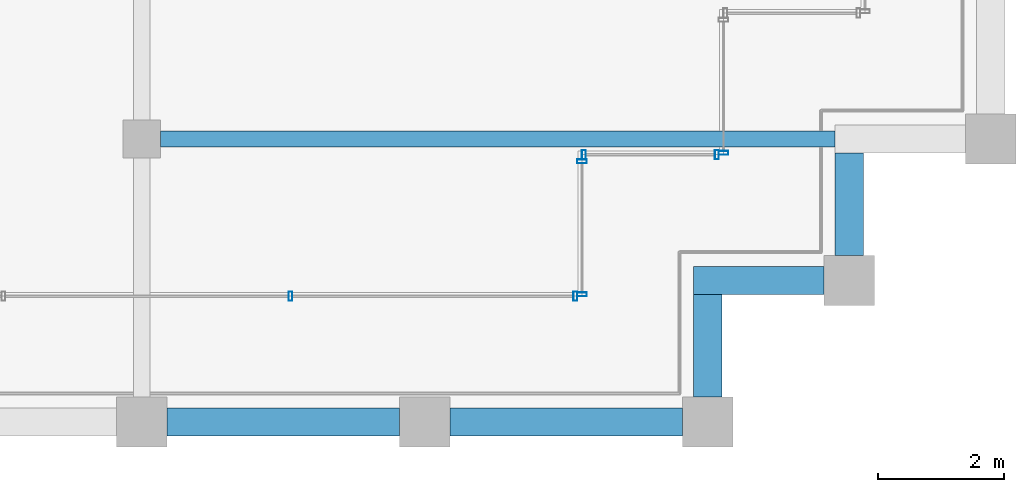
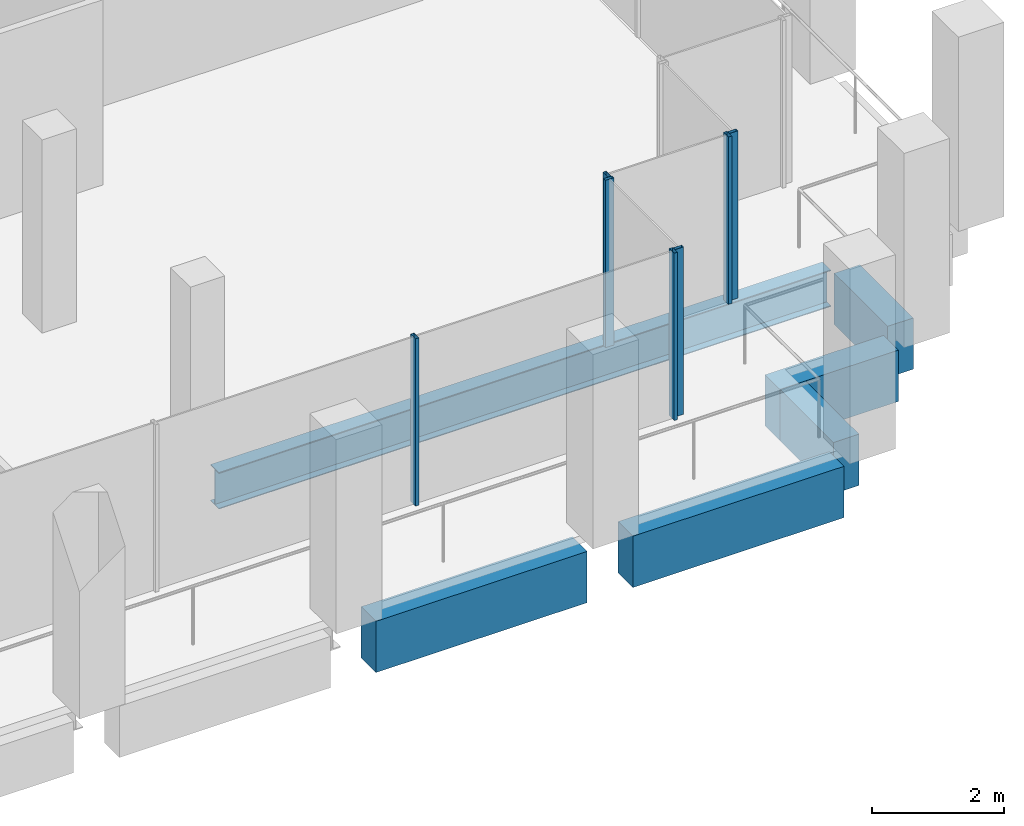
# One storey, part 12 of 30: 7 members, 6 beams, 4 elements without a shape of their own.
"""IFC4 building model written with IfcOpenShell, lengths in metres."""

from ifc_helpers import new_model, si_unit, direction, frame, origin, origin_2d, place, context, subcontext, project, spatial, rectangle, hollow_rectangle, i_section, extrude, material, material_profile, profile_set, type_object, element, aggregate, save


model = new_model("IFC4")

# Units and contexts
model_context = context("Model", 3, precision=1e-05, world=origin(), true_north=direction((0.0, 1.0)))
body_context = subcontext(model_context, "Body", "Model", "MODEL_VIEW")
ifc_project = project(units=[si_unit("LENGTHUNIT", "METRE"), si_unit("AREAUNIT", "SQUARE_METRE"), si_unit("VOLUMEUNIT", "CUBIC_METRE"), si_unit("PLANEANGLEUNIT", "RADIAN"), si_unit("MASSUNIT", "GRAM", prefix="KILO")], contexts=[model_context])

# Site, building, storey
site_placement = place(None, origin())
site = spatial("IfcSite", under=ifc_project, at=site_placement, CompositionType="ELEMENT")
building_placement = place(site_placement, origin())
building = spatial("IfcBuilding", under=site, at=building_placement, Name="Altepetl Exchange Towers", CompositionType="ELEMENT")
storey_placement = place(building_placement, frame((0.0, 0.0, 238.800048828125)))
storey = spatial("IfcBuildingStorey", under=building, at=storey_placement, Name="L61", CompositionType="ELEMENT", Elevation=238.800048828125)

# Beam
ifc_material_1 = material(Name="Steel S355", Category="steel")
ifc_material_profile_1 = material_profile(ifc_material_1, i_section(OverallWidth=0.2529296875, OverallDepth=0.677978515625, WebThickness=0.01171875, FlangeThickness=0.016357421875, at=origin_2d()), Name="W27X84")
ifc_profile_set_1 = profile_set([ifc_material_profile_1], Name="Steel S355")
beam_type_1 = type_object("IfcBeamType", Name="Floor beam W27X84", PredefinedType="BEAM", material=ifc_profile_set_1)
beam_1_placement = place(storey_placement, frame((58.800048828125, 31.5, -0.489013671875), z_axis=(1.0, 0.0, 0.0), x_axis=(0.0, 1.0, 0.0)))
element("IfcBeam", 1, at=beam_1_placement, inside=storey, type_object=beam_type_1, Name="bm:A:L61:006", PredefinedType="BEAM", context=body_context, shape_type="SweptSolid", body=[
    extrude(i_section(OverallWidth=0.2529296875, OverallDepth=0.677978515625, WebThickness=0.01171875, FlangeThickness=0.016357421875, at=origin_2d()), origin(), (0.0, 0.0, 1.0), 10.724853515625),
])

# Curtain wall, members
ifc_material_2 = material(Name="Aluminium 6063-T6 glazing", Category="aluminium")
curtain_wall_type = type_object("IfcCurtainWallType", Name="Loggia glazing system", PredefinedType="NOTDEFINED", material=ifc_material_2)
curtain_wall_1_placement = place(storey_placement, origin())
curtain_wall_1 = element("IfcCurtainWall", 2, at=curtain_wall_1_placement, inside=storey, type_object=curtain_wall_type, Name="CW1 run", PredefinedType="NOTDEFINED")
ifc_material_3 = material(Name="Aluminium 6063-T6", Category="aluminium")
ifc_material_profile_2 = material_profile(ifc_material_3, hollow_rectangle(XDim=0.06005859375, YDim=0.14990234375, WallThickness=0.0029296875, at=origin_2d()), Name="Mullion 60x150 aluminium")
ifc_profile_set_2 = profile_set([ifc_material_profile_2], Name="Aluminium 6063-T6")
member_type = type_object("IfcMemberType", Name="Mullion 60x150 aluminium", PredefinedType="MULLION", material=ifc_profile_set_2)
member_1_placement = place(storey_placement, frame((60.8642578125, 29.0, 0.0)))
member_1 = element("IfcMember", 3, at=member_1_placement, type_object=member_type, Name="MU1 mullion", PredefinedType="MULLION", context=body_context, shape_type="SweptSolid", body=[
    extrude(hollow_rectangle(XDim=0.06005859375, YDim=0.14990234375, WallThickness=0.0029296875, at=origin_2d()), origin(), (0.0, 0.0, 1.0), 3.099853515625),
])
member_2_placement = place(storey_placement, frame((65.39501953125, 29.0, 0.0)))
member_2 = element("IfcMember", 4, at=member_2_placement, type_object=member_type, Name="MU1 mullion", PredefinedType="MULLION", context=body_context, shape_type="SweptSolid", body=[
    extrude(hollow_rectangle(XDim=0.06005859375, YDim=0.14990234375, WallThickness=0.0029296875, at=origin_2d()), origin(), (0.0, 0.0, 1.0), 3.099853515625),
])
aggregate(curtain_wall_1, [member_1, member_2])

curtain_wall_2_placement = place(storey_placement, origin())
curtain_wall_2 = element("IfcCurtainWall", 5, at=curtain_wall_2_placement, inside=storey, type_object=curtain_wall_type, Name="CW1 run", PredefinedType="NOTDEFINED")
member_3_placement = place(storey_placement, frame((65.5, 29.030029296875, 0.0), z_axis=(0.0, 0.0, 1.0), x_axis=(0.0, 1.0, 0.0)))
member_3 = element("IfcMember", 6, at=member_3_placement, type_object=member_type, Name="MU1 mullion", PredefinedType="MULLION", context=body_context, shape_type="SweptSolid", body=[
    extrude(hollow_rectangle(XDim=0.06005859375, YDim=0.14990234375, WallThickness=0.0029296875, at=origin_2d()), origin(), (0.0, 0.0, 1.0), 3.099853515625),
])
member_4_placement = place(storey_placement, frame((65.5, 31.14501953125, 0.0), z_axis=(0.0, 0.0, 1.0), x_axis=(0.0, 1.0, 0.0)))
member_4 = element("IfcMember", 7, at=member_4_placement, type_object=member_type, Name="MU1 mullion", PredefinedType="MULLION", context=body_context, shape_type="SweptSolid", body=[
    extrude(hollow_rectangle(XDim=0.06005859375, YDim=0.14990234375, WallThickness=0.0029296875, at=origin_2d()), origin(), (0.0, 0.0, 1.0), 3.099853515625),
])
aggregate(curtain_wall_2, [member_3, member_4])

curtain_wall_3_placement = place(storey_placement, origin())
curtain_wall_3 = element("IfcCurtainWall", 8, at=curtain_wall_3_placement, inside=storey, type_object=curtain_wall_type, Name="CW1 run", PredefinedType="NOTDEFINED")
member_5_placement = place(storey_placement, frame((65.530029296875, 31.25, 0.0)))
member_5 = element("IfcMember", 9, at=member_5_placement, type_object=member_type, Name="MU1 mullion", PredefinedType="MULLION", context=body_context, shape_type="SweptSolid", body=[
    extrude(hollow_rectangle(XDim=0.06005859375, YDim=0.14990234375, WallThickness=0.0029296875, at=origin_2d()), origin(), (0.0, 0.0, 1.0), 3.099853515625),
])
member_6_placement = place(storey_placement, frame((67.64501953125, 31.25, 0.0)))
member_6 = element("IfcMember", 10, at=member_6_placement, type_object=member_type, Name="MU1 mullion", PredefinedType="MULLION", context=body_context, shape_type="SweptSolid", body=[
    extrude(hollow_rectangle(XDim=0.06005859375, YDim=0.14990234375, WallThickness=0.0029296875, at=origin_2d()), origin(), (0.0, 0.0, 1.0), 3.099853515625),
])
aggregate(curtain_wall_3, [member_5, member_6])

# Curtain wall, member
curtain_wall_4_placement = place(storey_placement, origin())
curtain_wall_4 = element("IfcCurtainWall", 11, at=curtain_wall_4_placement, inside=storey, type_object=curtain_wall_type, Name="CW1 run", PredefinedType="NOTDEFINED")
member_7_placement = place(storey_placement, frame((67.75, 31.280029296875, 0.0), z_axis=(0.0, 0.0, 1.0), x_axis=(0.0, 1.0, 0.0)))
member_7 = element("IfcMember", 12, at=member_7_placement, type_object=member_type, Name="MU1 mullion", PredefinedType="MULLION", context=body_context, shape_type="SweptSolid", body=[
    extrude(hollow_rectangle(XDim=0.06005859375, YDim=0.14990234375, WallThickness=0.0029296875, at=origin_2d()), origin(), (0.0, 0.0, 1.0), 3.099853515625),
])
aggregate(curtain_wall_4, [member_7])

# Beams
ifc_material_4 = material(Name="Concrete C50/60 precast with cantera amarilla facing", Category="concrete")
ifc_material_profile_3 = material_profile(ifc_material_4, rectangle(XDim=0.449951171875, YDim=0.949951171875, at=origin_2d()), Name="450 x 950")
ifc_profile_set_3 = profile_set([ifc_material_profile_3], Name="Concrete C50/60 precast with cantera amarilla facing")
beam_type_2 = type_object("IfcBeamType", Name="Spandrel beam 450x950 cantera amarilla", PredefinedType="SPANDREL", material=ifc_profile_set_3)
for number, where, z_axis, x_axis, name in (
    (13, (58.89990234375, 27.0, -0.625), (1.0, 0.0, 0.0), (0.0, 1.0, 0.0), "sp:A:L61:006"),
    (14, (63.39990234375, 27.0, -0.625), (1.0, 0.0, 0.0), (0.0, 1.0, 0.0), "sp:A:L61:007"),
):
    element("IfcBeam", number, at=place(storey_placement, frame(where, z_axis=z_axis, x_axis=x_axis)), inside=storey, type_object=beam_type_2, Name=name, PredefinedType="SPANDREL", context=body_context, shape_type="SweptSolid", body=[
        extrude(rectangle(XDim=0.449951171875, YDim=0.949951171875, at=origin_2d()), origin(), (0.0, 0.0, 1.0), 3.7001953125),
    ])
beam_2_placement = place(storey_placement, frame((67.5, 27.39990234375, -0.625), z_axis=(0.0, 1.0, 0.0), x_axis=(-1.0, 0.0, 0.0)))
element("IfcBeam", 15, at=beam_2_placement, inside=storey, type_object=beam_type_2, Name="sp:A:L61:008", PredefinedType="SPANDREL", context=body_context, shape_type="SweptSolid", body=[
    extrude(rectangle(XDim=0.449951171875, YDim=0.949951171875, at=origin_2d()), origin(), (0.0, 0.0, 1.0), 1.625),
])
beam_3_placement = place(storey_placement, frame((67.27490234375, 29.25, -0.625), z_axis=(1.0, 0.0, 0.0), x_axis=(0.0, 1.0, 0.0)))
element("IfcBeam", 16, at=beam_3_placement, inside=storey, type_object=beam_type_2, Name="sp:A:L61:009", PredefinedType="SPANDREL", context=body_context, shape_type="SweptSolid", body=[
    extrude(rectangle(XDim=0.449951171875, YDim=0.949951171875, at=origin_2d()), origin(), (0.0, 0.0, 1.0), 2.0751953125),
])
beam_4_placement = place(storey_placement, frame((69.75, 29.64990234375, -0.625), z_axis=(0.0, 1.0, 0.0), x_axis=(-1.0, 0.0, 0.0)))
element("IfcBeam", 17, at=beam_4_placement, inside=storey, type_object=beam_type_2, Name="sp:A:L61:010", PredefinedType="SPANDREL", context=body_context, shape_type="SweptSolid", body=[
    extrude(rectangle(XDim=0.449951171875, YDim=0.949951171875, at=origin_2d()), origin(), (0.0, 0.0, 1.0), 1.625),
])

save(model, "model.ifc")
